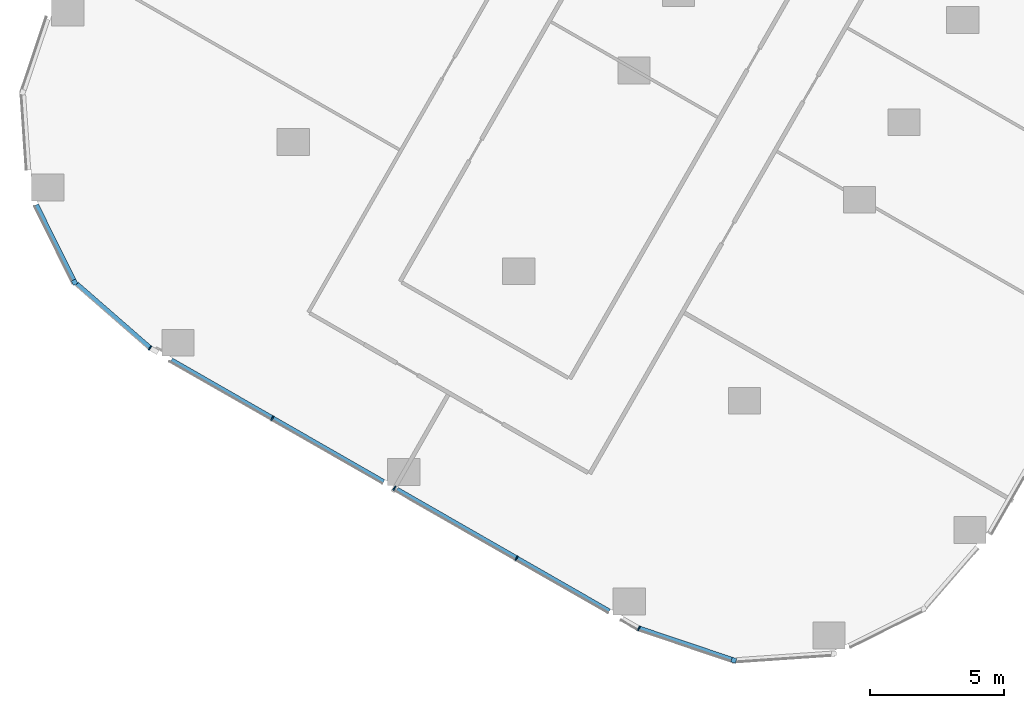
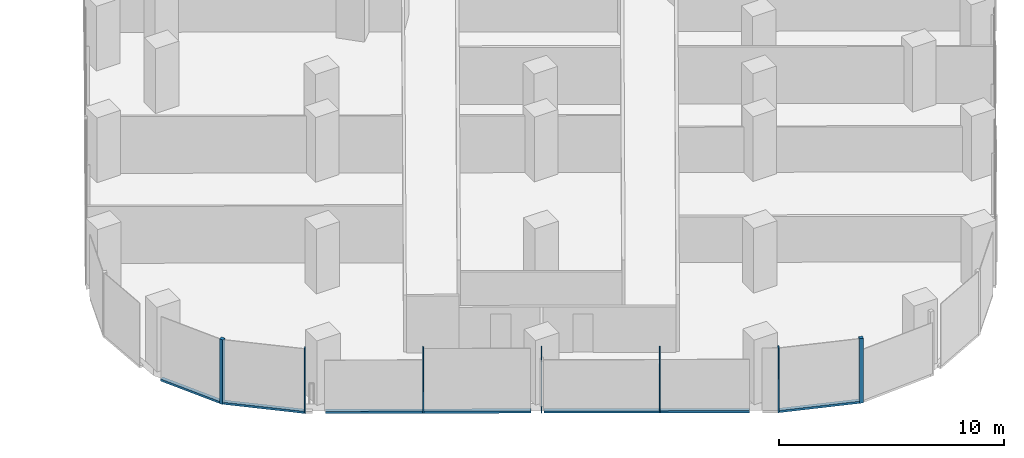
# One storey, part 2 of 35: 12 members, 4 elements without a shape of their own.
"""IFC4 building model written with IfcOpenShell, lengths in metres."""

from ifc_helpers import new_model, si_unit, direction, frame, origin, origin_2d, place, context, subcontext, project, spatial, rectangle, extrude, material, material_profile, profile_set, type_object, element, aggregate, save


model = new_model("IFC4")

# Units and contexts
model_context = context("Model", 3, precision=1e-05, world=origin(), true_north=direction((0.0, 1.0)))
body_context = subcontext(model_context, "Body", "Model", "MODEL_VIEW")
ifc_project = project(units=[si_unit("LENGTHUNIT", "METRE"), si_unit("AREAUNIT", "SQUARE_METRE"), si_unit("VOLUMEUNIT", "CUBIC_METRE"), si_unit("PLANEANGLEUNIT", "RADIAN"), si_unit("MASSUNIT", "GRAM", prefix="KILO")], contexts=[model_context])

# Site, building, storey
site_placement = place(None, origin())
site = spatial("IfcSite", under=ifc_project, at=site_placement, CompositionType="ELEMENT")
building_placement = place(site_placement, origin())
building = spatial("IfcBuilding", under=site, at=building_placement, Name="Orlundy Tower", CompositionType="ELEMENT")
storey_placement = place(building_placement, frame((0.0, 0.0, 116.199951171875)))
storey = spatial("IfcBuildingStorey", under=building, at=storey_placement, Name="L29", CompositionType="ELEMENT", Elevation=116.199951171875)

# Curtain wall, member
ifc_material_1 = material(Name="Aluminium bronze anodised", Category="aluminium")
curtain_wall_type = type_object("IfcCurtainWallType", Name="CW1 wall", PredefinedType="NOTDEFINED", material=ifc_material_1)
curtain_wall_1_placement = place(storey_placement, origin())
curtain_wall_1 = element("IfcCurtainWall", 1, at=curtain_wall_1_placement, inside=storey, type_object=curtain_wall_type, Name="CW1 run 06", PredefinedType="NOTDEFINED")
ifc_material_2 = material(Name="Aluminium bronze anodised", Category="aluminium")
ifc_material_profile_1 = material_profile(ifc_material_2, rectangle(XDim=0.179931640625, YDim=0.179931640625, at=origin_2d()), Name="CW1 corner post 180x180")
ifc_profile_set_1 = profile_set([ifc_material_profile_1], Name="Aluminium bronze anodised")
member_type_1 = type_object("IfcMemberType", Name="CW1 corner post 180x180", PredefinedType="MULLION", material=ifc_profile_set_1)
member_1_placement = place(storey_placement, frame((-16.98974609375, -58.111083984375, -0.39990234375), z_axis=(0.0, 0.0, 1.0), x_axis=(-0.318897481446, -0.947789215135, 0.0)))
member_1 = element("IfcMember", 2, at=member_1_placement, type_object=member_type_1, Name="CW1 mullion 17", PredefinedType="MULLION", context=body_context, shape_type="SweptSolid", body=[
    extrude(rectangle(XDim=0.179931640625, YDim=0.179931640625, at=origin_2d()), origin(), (0.0, 0.0, 1.0), 3.5),
])

curtain_wall_2_placement = place(storey_placement, origin())
curtain_wall_2 = element("IfcCurtainWall", 3, at=curtain_wall_2_placement, inside=storey, type_object=curtain_wall_type, Name="CW1 run 09", PredefinedType="NOTDEFINED")
member_2_placement = place(storey_placement, frame((-41.57470703125, -44.010986328125, -0.39990234375), z_axis=(0.0, 0.0, 1.0), x_axis=(-0.895450062234, -0.445161977313, 0.0)))
member_2 = element("IfcMember", 4, at=member_2_placement, type_object=member_type_1, Name="CW1 mullion 23", PredefinedType="MULLION", context=body_context, shape_type="SweptSolid", body=[
    extrude(rectangle(XDim=0.179931640625, YDim=0.179931640625, at=origin_2d()), origin(), (0.0, 0.0, 1.0), 3.5),
])

# Curtain wall, members
curtain_wall_3_placement = place(storey_placement, origin())
curtain_wall_3 = element("IfcCurtainWall", 5, at=curtain_wall_3_placement, inside=storey, type_object=curtain_wall_type, Name="CW1 run 07", PredefinedType="NOTDEFINED")
ifc_material_3 = material(Name="Aluminium bronze anodised", Category="aluminium")
ifc_material_profile_2 = material_profile(ifc_material_3, rectangle(XDim=0.179931640625, YDim=0.050048828125, at=origin_2d()), Name="CW1 mullion 50x180")
ifc_profile_set_2 = profile_set([ifc_material_profile_2], Name="Aluminium bronze anodised")
member_type_2 = type_object("IfcMemberType", Name="CW1 mullion 50x180", PredefinedType="MULLION", material=ifc_profile_set_2)
member_3_placement = place(storey_placement, frame((-20.528076171875, -56.92041015625, -0.39990234375), z_axis=(0.0, 0.0, 1.0), x_axis=(-0.410157590109, -0.912014666152, 0.0)))
member_3 = element("IfcMember", 6, at=member_3_placement, type_object=member_type_2, Name="CW1 mullion 18", PredefinedType="MULLION", context=body_context, shape_type="SweptSolid", body=[
    extrude(rectangle(XDim=0.179931640625, YDim=0.050048828125, at=origin_2d()), origin(), (0.0, 0.0, 1.0), 3.5),
])
member_4_placement = place(storey_placement, frame((-25.090087890625, -54.304443359375, -0.39990234375), z_axis=(0.0, 0.0, 1.0), x_axis=(-0.497476812036, -0.867477274334, 0.0)))
member_4 = element("IfcMember", 7, at=member_4_placement, type_object=member_type_2, Name="CW1 mullion 19", PredefinedType="MULLION", context=body_context, shape_type="SweptSolid", body=[
    extrude(rectangle(XDim=0.179931640625, YDim=0.050048828125, at=origin_2d()), origin(), (0.0, 0.0, 1.0), 3.5),
])
member_5_placement = place(storey_placement, frame((-29.644287109375, -51.692626953125, -0.39990234375), z_axis=(0.0, 0.0, 1.0), x_axis=(-0.497476812036, -0.867477274334, 0.0)))
member_5 = element("IfcMember", 8, at=member_5_placement, type_object=member_type_2, Name="CW1 mullion 20", PredefinedType="MULLION", context=body_context, shape_type="SweptSolid", body=[
    extrude(rectangle(XDim=0.179931640625, YDim=0.050048828125, at=origin_2d()), origin(), (0.0, 0.0, 1.0), 3.5),
])
member_6_placement = place(storey_placement, frame((-34.198486328125, -49.080810546875, -0.39990234375), z_axis=(0.0, 0.0, 1.0), x_axis=(-0.497476812036, -0.867477274334, 0.0)))
member_6 = element("IfcMember", 9, at=member_6_placement, type_object=member_type_2, Name="CW1 mullion 21", PredefinedType="MULLION", context=body_context, shape_type="SweptSolid", body=[
    extrude(rectangle(XDim=0.179931640625, YDim=0.050048828125, at=origin_2d()), origin(), (0.0, 0.0, 1.0), 3.5),
])

# Curtain wall, member
curtain_wall_4_placement = place(storey_placement, origin())
curtain_wall_4 = element("IfcCurtainWall", 10, at=curtain_wall_4_placement, inside=storey, type_object=curtain_wall_type, Name="CW1 run 08", PredefinedType="NOTDEFINED")
member_7_placement = place(storey_placement, frame((-38.760498046875, -46.464599609375, -0.39990234375), z_axis=(0.0, 0.0, 1.0), x_axis=(-0.580115605379, -0.814534151768, 0.0)))
member_7 = element("IfcMember", 11, at=member_7_placement, type_object=member_type_2, Name="CW1 mullion 22", PredefinedType="MULLION", context=body_context, shape_type="SweptSolid", body=[
    extrude(rectangle(XDim=0.179931640625, YDim=0.050048828125, at=origin_2d()), origin(), (0.0, 0.0, 1.0), 3.5),
])

# Member
ifc_material_4 = material(Name="Aluminium bronze anodised", Category="aluminium")
ifc_material_profile_3 = material_profile(ifc_material_4, rectangle(XDim=0.179931640625, YDim=0.1201171875, at=origin_2d()), Name="CW1 transom 180x120")
ifc_profile_set_3 = profile_set([ifc_material_profile_3], Name="Aluminium bronze anodised")
member_type_3 = type_object("IfcMemberType", Name="CW1 transom 180x120", PredefinedType="USERDEFINED", material=ifc_profile_set_3)
member_8_placement = place(storey_placement, frame((-17.074951171875, -58.082275390625, -0.33984375), z_axis=(-0.947795693526, 0.318878226497, 0.0), x_axis=(-0.318878226497, -0.947795693526, 0.0)))
member_8 = element("IfcMember", 12, at=member_8_placement, type_object=member_type_3, Name="CW1 transom", ObjectType="TRANSOM", PredefinedType="USERDEFINED", context=body_context, shape_type="SweptSolid", body=[
    extrude(rectangle(XDim=0.179931640625, YDim=0.1201171875, at=origin_2d()), origin(), (0.0, 0.0, 1.0), 3.618408203125),
])

aggregate(curtain_wall_1, [member_1, member_8])

member_9_placement = place(storey_placement, frame((-21.636962890625, -56.28466796875, -0.33984375), z_axis=(-0.867470097541, 0.49748932639, 0.0), x_axis=(-0.49748932639, -0.867470097541, 0.0)))
member_9 = element("IfcMember", 13, at=member_9_placement, type_object=member_type_3, Name="CW1 transom", ObjectType="TRANSOM", PredefinedType="USERDEFINED", context=body_context, shape_type="SweptSolid", body=[
    extrude(rectangle(XDim=0.179931640625, YDim=0.1201171875, at=origin_2d()), origin(), (0.0, 0.0, 1.0), 9.12744140625),
])

member_10_placement = place(storey_placement, frame((-30.051025390625, -51.459228515625, -0.33984375), z_axis=(-0.867479944708, 0.497472155532, 0.0), x_axis=(-0.497472155532, -0.867479944708, 0.0)))
member_10 = element("IfcMember", 14, at=member_10_placement, type_object=member_type_3, Name="CW1 transom", ObjectType="TRANSOM", PredefinedType="USERDEFINED", context=body_context, shape_type="SweptSolid", body=[
    extrude(rectangle(XDim=0.179931640625, YDim=0.1201171875, at=origin_2d()), origin(), (0.0, 0.0, 1.0), 9.126708984375),
])

aggregate(curtain_wall_3, [member_3, member_4, member_5, member_6, member_9, member_10])

member_11_placement = place(storey_placement, frame((-38.779296875, -46.4482421875, -0.33984375), z_axis=(-0.753760708351, 0.657148989611, 0.0), x_axis=(-0.657148989611, -0.753760708351, 0.0)))
member_11 = element("IfcMember", 15, at=member_11_placement, type_object=member_type_3, Name="CW1 transom", ObjectType="TRANSOM", PredefinedType="USERDEFINED", context=body_context, shape_type="SweptSolid", body=[
    extrude(rectangle(XDim=0.179931640625, YDim=0.1201171875, at=origin_2d()), origin(), (0.0, 0.0, 1.0), 3.611083984375),
])

aggregate(curtain_wall_4, [member_7, member_11])

member_12_placement = place(storey_placement, frame((-41.61474609375, -43.930419921875, -0.33984375), z_axis=(-0.445120991027, 0.895470436892, 0.0), x_axis=(-0.895470436892, -0.445120991027, 0.0)))
member_12 = element("IfcMember", 16, at=member_12_placement, type_object=member_type_3, Name="CW1 transom", ObjectType="TRANSOM", PredefinedType="USERDEFINED", context=body_context, shape_type="SweptSolid", body=[
    extrude(rectangle(XDim=0.179931640625, YDim=0.1201171875, at=origin_2d()), origin(), (0.0, 0.0, 1.0), 3.12841796875),
])

aggregate(curtain_wall_2, [member_2, member_12])

save(model, "model.ifc")
